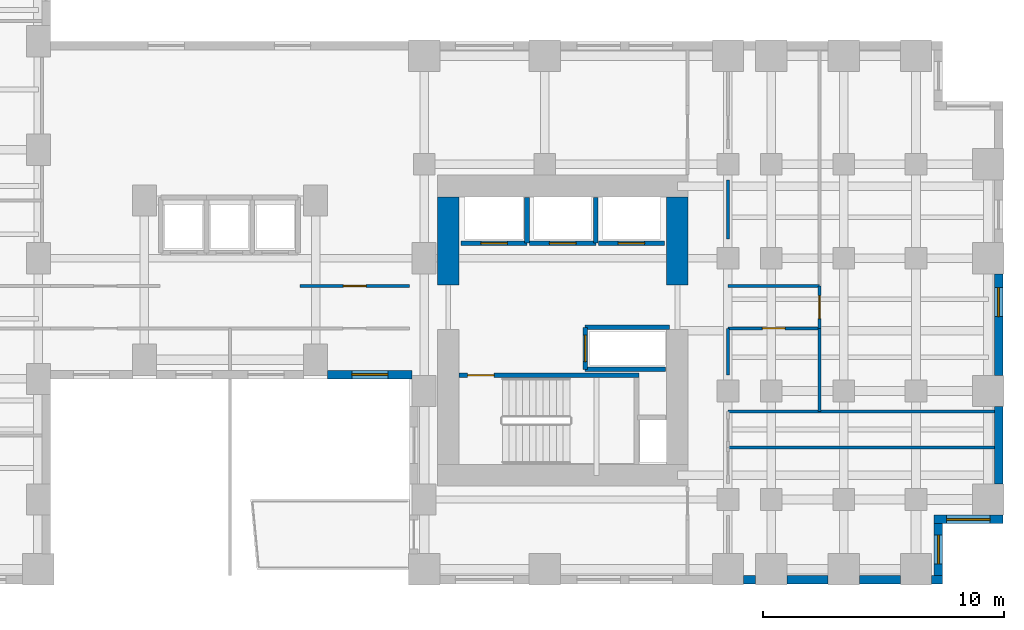
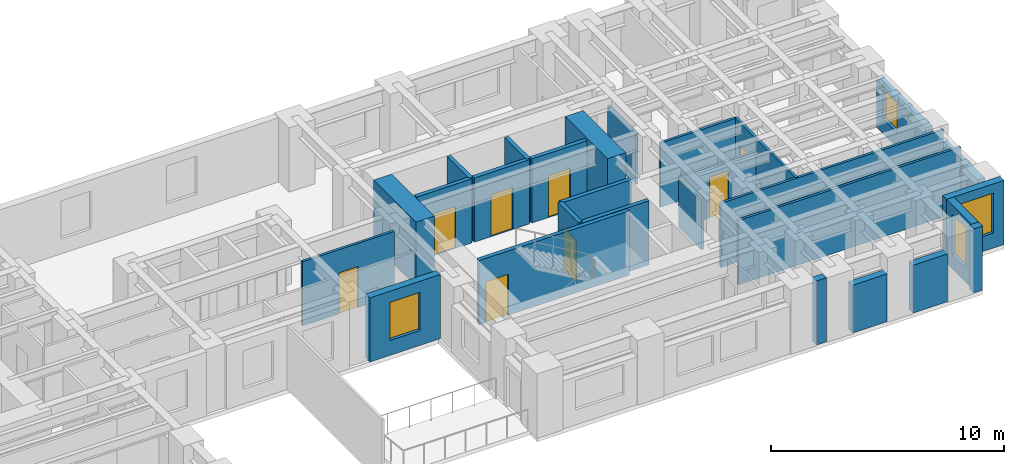
# One storey, part 7 of 12: 29 walls, 8 doors, 4 windows, 12 openings.
"""IFC4 building model written with IfcOpenShell, lengths in metres."""

from ifc_helpers import new_model, si_unit, direction, frame, frame_2d, origin, place, context, subcontext, project, spatial, rectangle, extrude, source, transform, mapped, material, layer, layer_set, type_object, element, fill, save


model = new_model("IFC4")

# Units and contexts
model_context = context("Model", 3, precision=1e-05, world=origin(), true_north=direction((0.0, 1.0)))
body_context = subcontext(model_context, "Body", "Model", "MODEL_VIEW")
ifc_project = project(units=[si_unit("LENGTHUNIT", "METRE"), si_unit("AREAUNIT", "SQUARE_METRE"), si_unit("VOLUMEUNIT", "CUBIC_METRE"), si_unit("PLANEANGLEUNIT", "RADIAN"), si_unit("MASSUNIT", "GRAM", prefix="KILO")], contexts=[model_context])

# Site, building, storey
site_placement = place(None, origin())
site = spatial("IfcSite", under=ifc_project, at=site_placement, CompositionType="ELEMENT")
building_placement = place(site_placement, origin())
building = spatial("IfcBuilding", under=site, at=building_placement, Name="Kharzan Plaza Tower", CompositionType="ELEMENT")
storey_placement = place(building_placement, frame((0.0, 0.0, 62.10009765625)))
storey = spatial("IfcBuildingStorey", under=building, at=storey_placement, Name="L16", CompositionType="ELEMENT", Elevation=62.10009765625)

# Wall, opening, window
ifc_material_1 = material(Name="Concrete C40/50", Category="concrete")
ifc_layer_1 = layer(ifc_material_1, 0.35009765625)
ifc_layer_set_1 = layer_set([ifc_layer_1], Name="Concrete C40/50")
wall_type_1 = type_object("IfcWallType", Name="WL-EXT-MAS-Z1", PredefinedType="SOLIDWALL", material=ifc_layer_set_1)
wall_1_placement = place(storey_placement, frame((30.998046875, 8.675048828125, 0.0), z_axis=(0.0, 0.0, 1.0), x_axis=(1.0, 0.0, 0.0)))
wall_1 = element("IfcWall", 1, at=wall_1_placement, inside=storey, type_object=wall_type_1, Name="L16 Masonry-Frame Exterior Wall 30", PredefinedType="SOLIDWALL", context=body_context, shape_type="SweptSolid", body=[
    extrude(rectangle(XDim=3.50390625, YDim=0.35009765625, at=frame_2d((1.751953125, 0.0))), origin(), (0.0, 0.0, 1.0), 3.364990234375),
])
opening_1_placement = place(wall_1_placement, frame((1.001953125, 0.0, 0.780029296875)))
opening_1 = element("IfcOpeningElement", 2, at=opening_1_placement, cuts=wall_1, Name="Opening W5", PredefinedType="OPENING", context=body_context, shape_type="SweptSolid", body=[
    extrude(rectangle(XDim=1.5, YDim=2.0, at=frame_2d((0.75, 1.0))), frame((0.0, 0.18505859375, 0.0), z_axis=(0.0, -1.0, 0.0), x_axis=(1.0, 0.0, 0.0)), (0.0, 0.0, 1.0), 0.3701171875),
])
ifc_material_2 = material(Name="Low-E Double Glazing", Category="glass")
window_type_1 = type_object("IfcWindowType", Name="WN-SLT-1500x2000", PartitioningType="SINGLE_PANEL", PredefinedType="WINDOW", material=ifc_material_2)
shared_shape_1 = source(origin(), body_context, "Body", "SweptSolid", [
    extrude(rectangle(XDim=1.5, YDim=2.0, at=frame_2d((0.75, 1.0))), frame((0.0, 0.030029296875, 0.0), z_axis=(0.0, -1.0, 0.0), x_axis=(1.0, 0.0, 0.0)), (0.0, 0.0, 1.0), 0.06005859375),
])
window_1_placement = place(opening_1_placement, origin())
window_1 = element("IfcWindow", 3, at=window_1_placement, inside=storey, type_object=window_type_1, Name="L16 Recessed Solar-Control Window 30-1", OverallHeight=2.0, OverallWidth=1.5, PartitioningType="SINGLE_PANEL", PredefinedType="WINDOW", context=body_context, shape_type="MappedRepresentation", body=[
    mapped(shared_shape_1, transform((0.0, 0.0, 0.0), x_axis=(1.0, 0.0, 0.0), y_axis=(0.0, 1.0, 0.0), z_axis=(0.0, 0.0, 1.0))),
])
fill(opening_1, window_1)

wall_2_placement = place(storey_placement, frame((56.324951171875, 0.347900390625, 0.0), z_axis=(0.0, 0.0, 1.0), x_axis=(0.0, 1.0, 0.0)))
wall_2 = element("IfcWall", 4, at=wall_2_placement, inside=storey, type_object=wall_type_1, Name="L16 Masonry-Frame Exterior Wall 39", PredefinedType="SOLIDWALL", context=body_context, shape_type="SweptSolid", body=[
    extrude(rectangle(XDim=2.154052734375, YDim=0.35009765625, at=frame_2d((1.0771484375, 0.0))), origin(), (0.0, 0.0, 1.0), 3.364990234375),
])
opening_2_placement = place(wall_2_placement, frame((0.47705078125, 0.0, 0.780029296875)))
opening_2 = element("IfcOpeningElement", 5, at=opening_2_placement, cuts=wall_2, Name="Opening W3", PredefinedType="OPENING", context=body_context, shape_type="SweptSolid", body=[
    extrude(rectangle(XDim=1.199951171875, YDim=2.10009765625, at=frame_2d((0.60009765625, 1.050048828125))), frame((0.0, 0.18505859375, 0.0), z_axis=(0.0, -1.0, 0.0), x_axis=(1.0, 0.0, 0.0)), (0.0, 0.0, 1.0), 0.3701171875),
])
window_type_2 = type_object("IfcWindowType", Name="WN-REC-1200x2100", PartitioningType="SINGLE_PANEL", PredefinedType="WINDOW", material=ifc_material_2)
shared_shape_2 = source(origin(), body_context, "Body", "SweptSolid", [
    extrude(rectangle(XDim=1.199951171875, YDim=2.10009765625, at=frame_2d((0.60009765625, 1.050048828125))), frame((0.0, 0.030029296875, 0.0), z_axis=(0.0, -1.0, 0.0), x_axis=(1.0, 0.0, 0.0)), (0.0, 0.0, 1.0), 0.06005859375),
])
window_2_placement = place(opening_2_placement, origin())
window_2 = element("IfcWindow", 6, at=window_2_placement, inside=storey, type_object=window_type_2, Name="L16 Recessed Solar-Control Window 39-1", OverallHeight=2.10009765625, OverallWidth=1.199951171875, PartitioningType="SINGLE_PANEL", PredefinedType="WINDOW", context=body_context, shape_type="MappedRepresentation", body=[
    mapped(shared_shape_2, transform((0.0, 0.0, 0.0), x_axis=(1.0, 0.0, 0.0), y_axis=(0.0, 1.0, 0.0), z_axis=(0.0, 0.0, 1.0))),
])
fill(opening_2, window_2)

wall_3_placement = place(storey_placement, frame((56.14990234375, 2.675048828125, 0.0), z_axis=(0.0, 0.0, 1.0), x_axis=(1.0, 0.0, 0.0)))
wall_3 = element("IfcWall", 7, at=wall_3_placement, inside=storey, type_object=wall_type_1, Name="L16 Masonry-Frame Exterior Wall 40", PredefinedType="SOLIDWALL", context=body_context, shape_type="SweptSolid", body=[
    extrude(rectangle(XDim=2.85009765625, YDim=0.35009765625, at=frame_2d((1.425048828125, 0.0))), origin(), (0.0, 0.0, 1.0), 3.364990234375),
])
opening_3_placement = place(wall_3_placement, frame((0.52490234375, 0.0, 0.780029296875)))
opening_3 = element("IfcOpeningElement", 8, at=opening_3_placement, cuts=wall_3, Name="Opening W1", PredefinedType="OPENING", context=body_context, shape_type="SweptSolid", body=[
    extrude(rectangle(XDim=1.800048828125, YDim=2.10009765625, at=frame_2d((0.89990234375, 1.050048828125))), frame((0.0, 0.18505859375, 0.0), z_axis=(0.0, -1.0, 0.0), x_axis=(1.0, 0.0, 0.0)), (0.0, 0.0, 1.0), 0.3701171875),
])
window_type_3 = type_object("IfcWindowType", Name="WN-REC-1800x2100", PartitioningType="SINGLE_PANEL", PredefinedType="WINDOW", material=ifc_material_2)
shared_shape_3 = source(origin(), body_context, "Body", "SweptSolid", [
    extrude(rectangle(XDim=1.800048828125, YDim=2.10009765625, at=frame_2d((0.89990234375, 1.050048828125))), frame((0.0, 0.030029296875, 0.0), z_axis=(0.0, -1.0, 0.0), x_axis=(1.0, 0.0, 0.0)), (0.0, 0.0, 1.0), 0.06005859375),
])
window_3_placement = place(opening_3_placement, origin())
window_3 = element("IfcWindow", 9, at=window_3_placement, inside=storey, type_object=window_type_3, Name="L16 Recessed Solar-Control Window 40-1", OverallHeight=2.10009765625, OverallWidth=1.800048828125, PartitioningType="SINGLE_PANEL", PredefinedType="WINDOW", context=body_context, shape_type="MappedRepresentation", body=[
    mapped(shared_shape_3, transform((0.0, 0.0, 0.0), x_axis=(1.0, 0.0, 0.0), y_axis=(0.0, 1.0, 0.0), z_axis=(0.0, 0.0, 1.0))),
])
fill(opening_3, window_3)

wall_4_placement = place(storey_placement, frame((58.824951171875, 8.64794921875, 0.0), z_axis=(0.0, 0.0, 1.0), x_axis=(0.0, 1.0, 0.0)))
wall_4 = element("IfcWall", 10, at=wall_4_placement, inside=storey, type_object=wall_type_1, Name="L16 Masonry-Frame Exterior Wall 42", PredefinedType="SOLIDWALL", context=body_context, shape_type="SweptSolid", body=[
    extrude(rectangle(XDim=4.2041015625, YDim=0.35009765625, at=frame_2d((2.10205078125, 0.0))), origin(), (0.0, 0.0, 1.0), 2.510009765625),
])
opening_4_placement = place(wall_4_placement, frame((2.436767578125, 0.0, 0.780029296875)))
opening_4 = element("IfcOpeningElement", 11, at=opening_4_placement, cuts=wall_4, Name="Opening W3", PredefinedType="OPENING", context=body_context, shape_type="SweptSolid", body=[
    extrude(rectangle(XDim=1.199951171875, YDim=1.550048828125, at=frame_2d((0.60009765625, 0.77490234375))), frame((0.0, 0.18505859375, 0.0), z_axis=(0.0, -1.0, 0.0), x_axis=(1.0, 0.0, 0.0)), (0.0, 0.0, 1.0), 0.3701171875),
])
shared_shape_4 = source(origin(), body_context, "Body", "SweptSolid", [
    extrude(rectangle(XDim=1.199951171875, YDim=1.550048828125, at=frame_2d((0.60009765625, 0.77490234375))), frame((0.0, 0.030029296875, 0.0), z_axis=(0.0, -1.0, 0.0), x_axis=(1.0, 0.0, 0.0)), (0.0, 0.0, 1.0), 0.06005859375),
])
window_4_placement = place(opening_4_placement, origin())
window_4 = element("IfcWindow", 12, at=window_4_placement, inside=storey, type_object=window_type_2, Name="L16 Recessed Solar-Control Window 42-1", OverallHeight=1.550048828125, OverallWidth=1.199951171875, PartitioningType="SINGLE_PANEL", PredefinedType="WINDOW", context=body_context, shape_type="MappedRepresentation", body=[
    mapped(shared_shape_4, transform((0.0, 0.0, 0.0), x_axis=(1.0, 0.0, 0.0), y_axis=(0.0, 1.0, 0.0), z_axis=(0.0, 0.0, 1.0))),
])
fill(opening_4, window_4)

# Wall, opening, door
ifc_material_3 = material(Name="Fire-Rated Gypsum Board Partition", Category="gypsum")
ifc_layer_2 = layer(ifc_material_3, 0.125)
ifc_layer_set_2 = layer_set([ifc_layer_2], Name="Fire-Rated Gypsum Board Partition")
wall_type_2 = type_object("IfcWallType", Name="WL-INT-PART-125", PredefinedType="PARTITIONING", material=ifc_layer_set_2)
wall_5_placement = place(storey_placement, frame((51.39990234375, 10.60009765625, 0.0), z_axis=(0.0, 0.0, 1.0), x_axis=(0.0, 1.0, 0.0)))
wall_5 = element("IfcWall", 13, at=wall_5_placement, inside=storey, type_object=wall_type_2, Name="L16 Interior Partition SH-B2E2", PredefinedType="PARTITIONING", context=body_context, shape_type="SweptSolid", body=[
    extrude(rectangle(XDim=1.75, YDim=0.125, at=frame_2d((0.875, 0.0))), origin(), (0.0, 0.0, 1.0), 3.364990234375),
])
opening_5_placement = place(wall_5_placement, frame((0.39990234375, 0.0, 0.0)))
opening_5 = element("IfcOpeningElement", 14, at=opening_5_placement, cuts=wall_5, Name="Opening OD1", PredefinedType="OPENING", context=body_context, shape_type="SweptSolid", body=[
    extrude(rectangle(XDim=0.949951171875, YDim=2.14990234375, at=frame_2d((0.47509765625, 1.074951171875))), frame((0.0, 0.072509765625, 0.0), z_axis=(0.0, -1.0, 0.0), x_axis=(1.0, 0.0, 0.0)), (0.0, 0.0, 1.0), 0.14501953125),
])
ifc_material_4 = material(Name="Acoustic Solid-Core Stained Oak", Category="timber")
door_type_1 = type_object("IfcDoorType", Name="DR-OFF-SINGLE", OperationType="NOTDEFINED", PredefinedType="DOOR", material=ifc_material_4)
shared_shape_5 = source(origin(), body_context, "Body", "SweptSolid", [
    extrude(rectangle(XDim=0.949951171875, YDim=2.14990234375, at=frame_2d((0.47509765625, 1.074951171875))), frame((0.0, 0.02490234375, 0.0), z_axis=(0.0, -1.0, 0.0), x_axis=(1.0, 0.0, 0.0)), (0.0, 0.0, 1.0), 0.050048828125),
])
door_1_placement = place(opening_5_placement, origin())
door_1 = element("IfcDoor", 15, at=door_1_placement, inside=storey, type_object=door_type_1, Name="L16 East Boardroom Door", OperationType="SINGLE_SWING_LEFT", OverallHeight=2.14990234375, OverallWidth=0.949951171875, PredefinedType="DOOR", context=body_context, shape_type="MappedRepresentation", body=[
    mapped(shared_shape_5, transform((0.0, 0.0, 0.0), x_axis=(1.0, 0.0, 0.0), y_axis=(0.0, 1.0, 0.0), z_axis=(0.0, 0.0, 1.0))),
])
fill(opening_5, door_1)

wall_6_placement = place(storey_placement, frame((47.60009765625, 10.60009765625, 0.0), z_axis=(0.0, 0.0, 1.0), x_axis=(1.0, 0.0, 0.0)))
wall_6 = element("IfcWall", 16, at=wall_6_placement, inside=storey, type_object=wall_type_2, Name="L16 Interior Partition SH-B2S1", PredefinedType="PARTITIONING", context=body_context, shape_type="SweptSolid", body=[
    extrude(rectangle(XDim=3.7998046875, YDim=0.125, at=frame_2d((1.89990234375, 0.0))), origin(), (0.0, 0.0, 1.0), 2.669921875),
])
opening_6_placement = place(wall_6_placement, frame((1.425048828125, 0.0, 0.0)))
opening_6 = element("IfcOpeningElement", 17, at=opening_6_placement, cuts=wall_6, Name="Opening OD1", PredefinedType="OPENING", context=body_context, shape_type="SweptSolid", body=[
    extrude(rectangle(XDim=0.949951171875, YDim=2.14990234375, at=frame_2d((0.47509765625, 1.074951171875))), frame((0.0, 0.072509765625, 0.0), z_axis=(0.0, -1.0, 0.0), x_axis=(1.0, 0.0, 0.0)), (0.0, 0.0, 1.0), 0.14501953125),
])
door_2_placement = place(opening_6_placement, origin())
door_2 = element("IfcDoor", 18, at=door_2_placement, inside=storey, type_object=door_type_1, Name="L16 Spur South Office Door", OperationType="SINGLE_SWING_RIGHT", OverallHeight=2.14990234375, OverallWidth=0.949951171875, PredefinedType="DOOR", context=body_context, shape_type="MappedRepresentation", body=[
    mapped(shared_shape_5, transform((0.0, 0.0, 0.0), x_axis=(1.0, 0.0, 0.0), y_axis=(0.0, 1.0, 0.0), z_axis=(0.0, 0.0, 1.0))),
])
fill(opening_6, door_2)

wall_7_placement = place(storey_placement, frame((29.85009765625, 12.35009765625, 0.0), z_axis=(0.0, 0.0, 1.0), x_axis=(1.0, 0.0, 0.0)))
wall_7 = element("IfcWall", 19, at=wall_7_placement, inside=storey, type_object=wall_type_2, Name="L16 Interior Partition SH-SPNE1", PredefinedType="PARTITIONING", context=body_context, shape_type="SweptSolid", body=[
    extrude(rectangle(XDim=4.5498046875, YDim=0.125, at=frame_2d((2.27490234375, 0.0))), origin(), (0.0, 0.0, 1.0), 3.364990234375),
])
opening_7_placement = place(wall_7_placement, frame((1.800048828125, 0.0, 0.0)))
opening_7 = element("IfcOpeningElement", 20, at=opening_7_placement, cuts=wall_7, Name="Opening OD1", PredefinedType="OPENING", context=body_context, shape_type="SweptSolid", body=[
    extrude(rectangle(XDim=0.949951171875, YDim=2.14990234375, at=frame_2d((0.47509765625, 1.074951171875))), frame((0.0, 0.072509765625, 0.0), z_axis=(0.0, -1.0, 0.0), x_axis=(1.0, 0.0, 0.0)), (0.0, 0.0, 1.0), 0.14501953125),
])
door_3_placement = place(opening_7_placement, origin())
door_3 = element("IfcDoor", 21, at=door_3_placement, inside=storey, type_object=door_type_1, Name="L16 North-East Spine Door", OperationType="SINGLE_SWING_LEFT", OverallHeight=2.14990234375, OverallWidth=0.949951171875, PredefinedType="DOOR", context=body_context, shape_type="MappedRepresentation", body=[
    mapped(shared_shape_5, transform((0.0, 0.0, 0.0), x_axis=(1.0, 0.0, 0.0), y_axis=(0.0, 1.0, 0.0), z_axis=(0.0, 0.0, 1.0))),
])
fill(opening_7, door_3)

ifc_layer_3 = layer(ifc_material_1, 0.199951171875)
ifc_layer_set_3 = layer_set([ifc_layer_3], Name="Concrete C40/50")
wall_type_3 = type_object("IfcWallType", Name="WL-INT-SHAFT-200", PredefinedType="PARTITIONING", material=ifc_layer_set_3)
wall_8_placement = place(storey_placement, frame((36.530029296875, 14.1298828125, 0.0), z_axis=(0.0, 0.0, 1.0), x_axis=(1.0, 0.0, 0.0)))
wall_8 = element("IfcWall", 22, at=wall_8_placement, inside=storey, type_object=wall_type_3, Name="L16 Interior Partition SHF-PL-L1-S", PredefinedType="PARTITIONING", context=body_context, shape_type="SweptSolid", body=[
    extrude(rectangle(XDim=2.739990234375, YDim=0.199951171875, at=frame_2d((1.3701171875, 0.0))), origin(), (0.0, 0.0, 1.0), 3.364990234375),
])
opening_8_placement = place(wall_8_placement, frame((0.820068359375, 0.0, 0.0)))
opening_8 = element("IfcOpeningElement", 23, at=opening_8_placement, cuts=wall_8, Name="Opening LD", PredefinedType="OPENING", context=body_context, shape_type="SweptSolid", body=[
    extrude(rectangle(XDim=1.10009765625, YDim=2.199951171875, at=frame_2d((0.550048828125, 1.10009765625))), frame((0.0, 0.10986328125, 0.0), z_axis=(0.0, -1.0, 0.0), x_axis=(1.0, 0.0, 0.0)), (0.0, 0.0, 1.0), 0.219970703125),
])
ifc_material_5 = material(Name="Brushed Stainless Steel", Category="steel")
door_type_2 = type_object("IfcDoorType", Name="DR-LIFT-SLIDE", OperationType="SLIDING_TO_LEFT", PredefinedType="DOOR", material=ifc_material_5)
shared_shape_6 = source(origin(), body_context, "Body", "SweptSolid", [
    extrude(rectangle(XDim=1.10009765625, YDim=2.199951171875, at=frame_2d((0.550048828125, 1.10009765625))), frame((0.0, 0.02490234375, 0.0), z_axis=(0.0, -1.0, 0.0), x_axis=(1.0, 0.0, 0.0)), (0.0, 0.0, 1.0), 0.050048828125),
])
door_4_placement = place(opening_8_placement, origin())
door_4 = element("IfcDoor", 24, at=door_4_placement, inside=storey, type_object=door_type_2, Name="L16 Low-Rise Passenger Lift PL-L1 Sliding Landing Door", OperationType="SLIDING_TO_LEFT", OverallHeight=2.199951171875, OverallWidth=1.10009765625, PredefinedType="DOOR", context=body_context, shape_type="MappedRepresentation", body=[
    mapped(shared_shape_6, transform((0.0, 0.0, 0.0), x_axis=(1.0, 0.0, 0.0), y_axis=(0.0, 1.0, 0.0), z_axis=(0.0, 0.0, 1.0))),
])
fill(opening_8, door_4)

wall_9_placement = place(storey_placement, frame((39.3798828125, 14.1298828125, 0.0), z_axis=(0.0, 0.0, 1.0), x_axis=(1.0, 0.0, 0.0)))
wall_9 = element("IfcWall", 25, at=wall_9_placement, inside=storey, type_object=wall_type_3, Name="L16 Interior Partition SHF-PL-L2-S", PredefinedType="PARTITIONING", context=body_context, shape_type="SweptSolid", body=[
    extrude(rectangle(XDim=2.740234375, YDim=0.199951171875, at=frame_2d((1.3701171875, 0.0))), origin(), (0.0, 0.0, 1.0), 3.364990234375),
])
opening_9_placement = place(wall_9_placement, frame((0.820068359375, 0.0, 0.0)))
opening_9 = element("IfcOpeningElement", 26, at=opening_9_placement, cuts=wall_9, Name="Opening LD", PredefinedType="OPENING", context=body_context, shape_type="SweptSolid", body=[
    extrude(rectangle(XDim=1.10009765625, YDim=2.199951171875, at=frame_2d((0.550048828125, 1.10009765625))), frame((0.0, 0.10986328125, 0.0), z_axis=(0.0, -1.0, 0.0), x_axis=(1.0, 0.0, 0.0)), (0.0, 0.0, 1.0), 0.219970703125),
])
door_5_placement = place(opening_9_placement, origin())
door_5 = element("IfcDoor", 27, at=door_5_placement, inside=storey, type_object=door_type_2, Name="L16 Low-Rise Passenger Lift PL-L2 Sliding Landing Door", OperationType="SLIDING_TO_LEFT", OverallHeight=2.199951171875, OverallWidth=1.10009765625, PredefinedType="DOOR", context=body_context, shape_type="MappedRepresentation", body=[
    mapped(shared_shape_6, transform((0.0, 0.0, 0.0), x_axis=(1.0, 0.0, 0.0), y_axis=(0.0, 1.0, 0.0), z_axis=(0.0, 0.0, 1.0))),
])
fill(opening_9, door_5)

wall_10_placement = place(storey_placement, frame((42.22998046875, 14.1298828125, 0.0), z_axis=(0.0, 0.0, 1.0), x_axis=(1.0, 0.0, 0.0)))
wall_10 = element("IfcWall", 28, at=wall_10_placement, inside=storey, type_object=wall_type_3, Name="L16 Interior Partition SHF-PL-L3-S", PredefinedType="PARTITIONING", context=body_context, shape_type="SweptSolid", body=[
    extrude(rectangle(XDim=2.739990234375, YDim=0.199951171875, at=frame_2d((1.3701171875, 0.0))), origin(), (0.0, 0.0, 1.0), 3.364990234375),
])
opening_10_placement = place(wall_10_placement, frame((0.820068359375, 0.0, 0.0)))
opening_10 = element("IfcOpeningElement", 29, at=opening_10_placement, cuts=wall_10, Name="Opening LD", PredefinedType="OPENING", context=body_context, shape_type="SweptSolid", body=[
    extrude(rectangle(XDim=1.10009765625, YDim=2.199951171875, at=frame_2d((0.550048828125, 1.10009765625))), frame((0.0, 0.10986328125, 0.0), z_axis=(0.0, -1.0, 0.0), x_axis=(1.0, 0.0, 0.0)), (0.0, 0.0, 1.0), 0.219970703125),
])
door_6_placement = place(opening_10_placement, origin())
door_6 = element("IfcDoor", 30, at=door_6_placement, inside=storey, type_object=door_type_2, Name="L16 Low-Rise Passenger Lift PL-L3 Sliding Landing Door", OperationType="SLIDING_TO_LEFT", OverallHeight=2.199951171875, OverallWidth=1.10009765625, PredefinedType="DOOR", context=body_context, shape_type="MappedRepresentation", body=[
    mapped(shared_shape_6, transform((0.0, 0.0, 0.0), x_axis=(1.0, 0.0, 0.0), y_axis=(0.0, 1.0, 0.0), z_axis=(0.0, 0.0, 1.0))),
])
fill(opening_10, door_6)

wall_11_placement = place(storey_placement, frame((41.679931640625, 8.89990234375, 0.0), z_axis=(0.0, 0.0, 1.0), x_axis=(0.0, 1.0, 0.0)))
wall_11 = element("IfcWall", 31, at=wall_11_placement, inside=storey, type_object=wall_type_3, Name="L16 Interior Partition SHF-SVL-2-W", PredefinedType="PARTITIONING", context=body_context, shape_type="SweptSolid", body=[
    extrude(rectangle(XDim=1.739990234375, YDim=0.199951171875, at=frame_2d((0.8701171875, 0.0))), origin(), (0.0, 0.0, 1.0), 3.364990234375),
])
opening_11_placement = place(wall_11_placement, frame((0.320068359375, 0.0, 0.0)))
opening_11 = element("IfcOpeningElement", 32, at=opening_11_placement, cuts=wall_11, Name="Opening LD", PredefinedType="OPENING", context=body_context, shape_type="SweptSolid", body=[
    extrude(rectangle(XDim=1.10009765625, YDim=2.199951171875, at=frame_2d((0.550048828125, 1.10009765625))), frame((0.0, 0.10986328125, 0.0), z_axis=(0.0, -1.0, 0.0), x_axis=(1.0, 0.0, 0.0)), (0.0, 0.0, 1.0), 0.219970703125),
])
door_7_placement = place(opening_11_placement, origin())
door_7 = element("IfcDoor", 33, at=door_7_placement, inside=storey, type_object=door_type_2, Name="L16 Service Lift SVL-2 Sliding Landing Door", OperationType="SLIDING_TO_LEFT", OverallHeight=2.199951171875, OverallWidth=1.10009765625, PredefinedType="DOOR", context=body_context, shape_type="MappedRepresentation", body=[
    mapped(shared_shape_6, transform((0.0, 0.0, 0.0), x_axis=(1.0, 0.0, 0.0), y_axis=(0.0, 1.0, 0.0), z_axis=(0.0, 0.0, 1.0))),
])
fill(opening_11, door_7)

ifc_material_6 = material(Name="Concrete C50/60", Category="concrete")
ifc_layer_4 = layer(ifc_material_6, 0.199951171875)
ifc_layer_set_4 = layer_set([ifc_layer_4], Name="Concrete C50/60")
wall_type_4 = type_object("IfcWallType", Name="WL-SHAFT-RC200", PredefinedType="SHEAR", material=ifc_layer_set_4)
wall_12_placement = place(storey_placement, frame((36.451904296875, 8.655029296875, 0.0), z_axis=(0.0, 0.0, 1.0), x_axis=(1.0, 0.0, 0.0)))
wall_12 = element("IfcWall", 34, at=wall_12_placement, inside=storey, type_object=wall_type_4, Name="L16 Stair ST-3 North RC Shaft Wall", PredefinedType="SHEAR", context=body_context, shape_type="SweptSolid", body=[
    extrude(rectangle(XDim=7.453125, YDim=0.199951171875, at=frame_2d((3.7265625, 0.0))), origin(), (0.0, 0.0, 1.0), 3.3798828125),
])
opening_12_placement = place(wall_12_placement, frame((0.35009765625, 0.0, 0.0)))
opening_12 = element("IfcOpeningElement", 35, at=opening_12_placement, cuts=wall_12, Name="Opening SD1", PredefinedType="OPENING", context=body_context, shape_type="SweptSolid", body=[
    extrude(rectangle(XDim=1.10009765625, YDim=2.14990234375, at=frame_2d((0.550048828125, 1.074951171875))), frame((0.0, 0.10986328125, 0.0), z_axis=(0.0, -1.0, 0.0), x_axis=(1.0, 0.0, 0.0)), (0.0, 0.0, 1.0), 0.219970703125),
])
ifc_material_7 = material(Name="Fire-Rated Hollow Galvanized Steel", Category="steel")
door_type_3 = type_object("IfcDoorType", Name="DR-STAIR-FD120", OperationType="NOTDEFINED", PredefinedType="DOOR", material=ifc_material_7)
shared_shape_7 = source(origin(), body_context, "Body", "SweptSolid", [
    extrude(rectangle(XDim=1.10009765625, YDim=2.14990234375, at=frame_2d((0.550048828125, 1.074951171875))), frame((0.0, 0.02490234375, 0.0), z_axis=(0.0, -1.0, 0.0), x_axis=(1.0, 0.0, 0.0)), (0.0, 0.0, 1.0), 0.050048828125),
])
door_8_placement = place(opening_12_placement, origin())
door_8 = element("IfcDoor", 36, at=door_8_placement, inside=storey, type_object=door_type_3, Name="L16 Stair ST-3 Fire Exit Door", OperationType="SINGLE_SWING_LEFT", OverallHeight=2.14990234375, OverallWidth=1.10009765625, PredefinedType="DOOR", context=body_context, shape_type="MappedRepresentation", body=[
    mapped(shared_shape_7, transform((0.0, 0.0, 0.0), x_axis=(1.0, 0.0, 0.0), y_axis=(0.0, 1.0, 0.0), z_axis=(0.0, 0.0, 1.0))),
])
fill(opening_12, door_8)

# Walls
ifc_material_8 = material(Name="Concrete C60/75", Category="concrete")
ifc_layer_5 = layer(ifc_material_8, 0.89990234375)
ifc_layer_set_5 = layer_set([ifc_layer_5], Name="Concrete C60/75")
wall_type_5 = type_object("IfcWallType", Name="WL-CORE-900", PredefinedType="SHEAR", material=ifc_layer_set_5)
shared_shape_8 = source(origin(), body_context, "Body", "SweptSolid", [
    extrude(rectangle(XDim=3.650146484375, YDim=0.89990234375, at=frame_2d((1.8251953125, 0.0))), origin(), (0.0, 0.0, 1.0), 3.3798828125),
])
for number, where, z_axis, x_axis, name in (
    (37, (45.5, 12.39990234375, 0.0), (0.0, 0.0, 1.0), (0.0, 1.0, 0.0), "L16 CORE-B east shear pier 2"),
    (38, (36.0, 12.39990234375, 0.0), (0.0, 0.0, 1.0), (0.0, 1.0, 0.0), "L16 CORE-B west shear pier 2"),
):
    element("IfcWall", number, at=place(storey_placement, frame(where, z_axis=z_axis, x_axis=x_axis)), inside=storey, type_object=wall_type_5, Name=name, PredefinedType="SHEAR", context=body_context, shape_type="MappedRepresentation", body=[
        mapped(shared_shape_8, transform((0.0, 0.0, 0.0), x_axis=(1.0, 0.0, 0.0), y_axis=(0.0, 1.0, 0.0), z_axis=(0.0, 0.0, 1.0))),
    ])
shared_shape_9 = source(origin(), body_context, "Body", "SweptSolid", [
    extrude(rectangle(XDim=0.50390625, YDim=0.35009765625, at=frame_2d((0.251953125, 0.0))), origin(), (0.0, 0.0, 1.0), 3.364990234375),
])
wall_13_placement = place(storey_placement, frame((48.248046875, 0.175048828125, 0.0), z_axis=(0.0, 0.0, 1.0), x_axis=(1.0, 0.0, 0.0)))
element("IfcWall", 39, at=wall_13_placement, inside=storey, type_object=wall_type_1, Name="L16 Masonry-Frame Exterior Wall 35", PredefinedType="SOLIDWALL", context=body_context, shape_type="MappedRepresentation", body=[
    mapped(shared_shape_9, transform((0.0, 0.0, 0.0), x_axis=(1.0, 0.0, 0.0), y_axis=(0.0, 1.0, 0.0), z_axis=(0.0, 0.0, 1.0))),
])
shared_shape_10 = source(origin(), body_context, "Body", "SweptSolid", [
    extrude(rectangle(XDim=1.703857421875, YDim=0.35009765625, at=frame_2d((0.85205078125, 0.0))), origin(), (0.0, 0.0, 1.0), 2.510009765625),
])
for number, where, z_axis, x_axis, name in (
    (40, (50.048095703125, 0.175048828125, 0.0), (0.0, 0.0, 1.0), (1.0, 0.0, 0.0), "L16 Masonry-Frame Exterior Wall 36"),
    (41, (53.048095703125, 0.175048828125, 0.0), (0.0, 0.0, 1.0), (1.0, 0.0, 0.0), "L16 Masonry-Frame Exterior Wall 37"),
):
    element("IfcWall", number, at=place(storey_placement, frame(where, z_axis=z_axis, x_axis=x_axis)), inside=storey, type_object=wall_type_1, Name=name, PredefinedType="SOLIDWALL", context=body_context, shape_type="MappedRepresentation", body=[
        mapped(shared_shape_10, transform((0.0, 0.0, 0.0), x_axis=(1.0, 0.0, 0.0), y_axis=(0.0, 1.0, 0.0), z_axis=(0.0, 0.0, 1.0))),
    ])
shared_shape_11 = source(origin(), body_context, "Body", "SweptSolid", [
    extrude(rectangle(XDim=0.451904296875, YDim=0.35009765625, at=frame_2d((0.22607421875, 0.0))), origin(), (0.0, 0.0, 1.0), 3.364990234375),
])
wall_14_placement = place(storey_placement, frame((56.048095703125, 0.175048828125, 0.0), z_axis=(0.0, 0.0, 1.0), x_axis=(1.0, 0.0, 0.0)))
element("IfcWall", 42, at=wall_14_placement, inside=storey, type_object=wall_type_1, Name="L16 Masonry-Frame Exterior Wall 38", PredefinedType="SOLIDWALL", context=body_context, shape_type="MappedRepresentation", body=[
    mapped(shared_shape_11, transform((0.0, 0.0, 0.0), x_axis=(1.0, 0.0, 0.0), y_axis=(0.0, 1.0, 0.0), z_axis=(0.0, 0.0, 1.0))),
])
shared_shape_12 = source(origin(), body_context, "Body", "SweptSolid", [
    extrude(rectangle(XDim=3.2041015625, YDim=0.35009765625, at=frame_2d((1.60205078125, 0.0))), origin(), (0.0, 0.0, 1.0), 2.510009765625),
])
wall_15_placement = place(storey_placement, frame((58.824951171875, 4.14794921875, 0.0), z_axis=(0.0, 0.0, 1.0), x_axis=(0.0, 1.0, 0.0)))
element("IfcWall", 43, at=wall_15_placement, inside=storey, type_object=wall_type_1, Name="L16 Masonry-Frame Exterior Wall 41", PredefinedType="SOLIDWALL", context=body_context, shape_type="MappedRepresentation", body=[
    mapped(shared_shape_12, transform((0.0, 0.0, 0.0), x_axis=(1.0, 0.0, 0.0), y_axis=(0.0, 1.0, 0.0), z_axis=(0.0, 0.0, 1.0))),
])
shared_shape_13 = source(origin(), body_context, "Body", "SweptSolid", [
    extrude(rectangle(XDim=11.0478515625, YDim=0.125, at=frame_2d((5.52392578125, 0.0))), origin(), (0.0, 0.0, 1.0), 3.364990234375),
])
for number, where, z_axis, x_axis, name in (
    (44, (47.60009765625, 5.64990234375, 0.0), (0.0, 0.0, 1.0), (1.0, 0.0, 0.0), "L16 Interior Partition SH-B2H1"),
    (45, (47.60009765625, 7.14990234375, 0.0), (0.0, 0.0, 1.0), (1.0, 0.0, 0.0), "L16 Interior Partition SH-B2H2"),
):
    element("IfcWall", number, at=place(storey_placement, frame(where, z_axis=z_axis, x_axis=x_axis)), inside=storey, type_object=wall_type_2, Name=name, PredefinedType="PARTITIONING", context=body_context, shape_type="MappedRepresentation", body=[
        mapped(shared_shape_13, transform((0.0, 0.0, 0.0), x_axis=(1.0, 0.0, 0.0), y_axis=(0.0, 1.0, 0.0), z_axis=(0.0, 0.0, 1.0))),
    ])
shared_shape_14 = source(origin(), body_context, "Body", "SweptSolid", [
    extrude(rectangle(XDim=1.89013671875, YDim=0.199951171875, at=frame_2d((0.945068359375, 0.0))), origin(), (0.0, 0.0, 1.0), 3.364990234375),
])
for number, where, z_axis, x_axis, name in (
    (46, (39.27001953125, 14.1298828125, 0.0), (0.0, 0.0, 1.0), (0.0, 1.0, 0.0), "L16 Interior Partition SHF-PL-L1-E"),
    (47, (42.1201171875, 14.1298828125, 0.0), (0.0, 0.0, 1.0), (0.0, 1.0, 0.0), "L16 Interior Partition SHF-PL-L2-E"),
):
    element("IfcWall", number, at=place(storey_placement, frame(where, z_axis=z_axis, x_axis=x_axis)), inside=storey, type_object=wall_type_3, Name=name, PredefinedType="PARTITIONING", context=body_context, shape_type="MappedRepresentation", body=[
        mapped(shared_shape_14, transform((0.0, 0.0, 0.0), x_axis=(1.0, 0.0, 0.0), y_axis=(0.0, 1.0, 0.0), z_axis=(0.0, 0.0, 1.0))),
    ])
shared_shape_15 = source(origin(), body_context, "Body", "SweptSolid", [
    extrude(rectangle(XDim=3.489990234375, YDim=0.199951171875, at=frame_2d((1.7451171875, 0.0))), origin(), (0.0, 0.0, 1.0), 3.364990234375),
])
wall_16_placement = place(storey_placement, frame((41.679931640625, 10.639892578125, 0.0), z_axis=(0.0, 0.0, 1.0), x_axis=(1.0, 0.0, 0.0)))
element("IfcWall", 48, at=wall_16_placement, inside=storey, type_object=wall_type_3, Name="L16 Interior Partition SHF-SVL-2-N", PredefinedType="PARTITIONING", context=body_context, shape_type="MappedRepresentation", body=[
    mapped(shared_shape_15, transform((0.0, 0.0, 0.0), x_axis=(1.0, 0.0, 0.0), y_axis=(0.0, 1.0, 0.0), z_axis=(0.0, 0.0, 1.0))),
])
shared_shape_16 = source(origin(), body_context, "Body", "SweptSolid", [
    extrude(rectangle(XDim=3.340087890625, YDim=0.199951171875, at=frame_2d((1.669921875, 0.0))), origin(), (0.0, 0.0, 1.0), 3.364990234375),
])
wall_17_placement = place(storey_placement, frame((41.679931640625, 8.89990234375, 0.0), z_axis=(0.0, 0.0, 1.0), x_axis=(1.0, 0.0, 0.0)))
element("IfcWall", 49, at=wall_17_placement, inside=storey, type_object=wall_type_3, Name="L16 Interior Partition SHF-SVL-2-S", PredefinedType="PARTITIONING", context=body_context, shape_type="MappedRepresentation", body=[
    mapped(shared_shape_16, transform((0.0, 0.0, 0.0), x_axis=(1.0, 0.0, 0.0), y_axis=(0.0, 1.0, 0.0), z_axis=(0.0, 0.0, 1.0))),
])
shared_shape_17 = source(origin(), body_context, "Body", "SweptSolid", [
    extrude(rectangle(XDim=3.7998046875, YDim=0.125, at=frame_2d((1.89990234375, 0.0))), origin(), (0.0, 0.0, 1.0), 3.364990234375),
])
wall_18_placement = place(storey_placement, frame((47.60009765625, 12.35009765625, 0.0), z_axis=(0.0, 0.0, 1.0), x_axis=(1.0, 0.0, 0.0)))
element("IfcWall", 50, at=wall_18_placement, inside=storey, type_object=wall_type_2, Name="L16 Interior Partition SH-B2N3", PredefinedType="PARTITIONING", context=body_context, shape_type="MappedRepresentation", body=[
    mapped(shared_shape_17, transform((0.0, 0.0, 0.0), x_axis=(1.0, 0.0, 0.0), y_axis=(0.0, 1.0, 0.0), z_axis=(0.0, 0.0, 1.0))),
])
shared_shape_18 = source(origin(), body_context, "Body", "SweptSolid", [
    extrude(rectangle(XDim=3.4501953125, YDim=0.125, at=frame_2d((1.72509765625, 0.0))), origin(), (0.0, 0.0, 1.0), 3.364990234375),
])
wall_19_placement = place(storey_placement, frame((51.39990234375, 7.14990234375, 0.0), z_axis=(0.0, 0.0, 1.0), x_axis=(0.0, 1.0, 0.0)))
element("IfcWall", 51, at=wall_19_placement, inside=storey, type_object=wall_type_2, Name="L16 Interior Partition SH-B2V1", PredefinedType="PARTITIONING", context=body_context, shape_type="MappedRepresentation", body=[
    mapped(shared_shape_18, transform((0.0, 0.0, 0.0), x_axis=(1.0, 0.0, 0.0), y_axis=(0.0, 1.0, 0.0), z_axis=(0.0, 0.0, 1.0))),
])
shared_shape_19 = source(origin(), body_context, "Body", "SweptSolid", [
    extrude(rectangle(XDim=1.940185546875, YDim=0.125, at=frame_2d((0.97021484375, 0.0))), origin(), (0.0, 0.0, 1.0), 2.669921875),
])
wall_20_placement = place(storey_placement, frame((47.60009765625, 8.659912109375, 0.0), z_axis=(0.0, 0.0, 1.0), x_axis=(0.0, 1.0, 0.0)))
element("IfcWall", 52, at=wall_20_placement, inside=storey, type_object=wall_type_2, Name="L16 Interior Partition SH-B2W1C", PredefinedType="PARTITIONING", context=body_context, shape_type="MappedRepresentation", body=[
    mapped(shared_shape_19, transform((0.0, 0.0, 0.0), x_axis=(1.0, 0.0, 0.0), y_axis=(0.0, 1.0, 0.0), z_axis=(0.0, 0.0, 1.0))),
])
shared_shape_20 = source(origin(), body_context, "Body", "SweptSolid", [
    extrude(rectangle(XDim=2.43994140625, YDim=0.125, at=frame_2d((1.219970703125, 0.0))), origin(), (0.0, 0.0, 1.0), 2.669921875),
])
wall_21_placement = place(storey_placement, frame((47.60009765625, 14.300048828125, 0.0), z_axis=(0.0, 0.0, 1.0), x_axis=(0.0, 1.0, 0.0)))
element("IfcWall", 53, at=wall_21_placement, inside=storey, type_object=wall_type_2, Name="L16 Interior Partition SH-B2W3D-S1", PredefinedType="PARTITIONING", context=body_context, shape_type="MappedRepresentation", body=[
    mapped(shared_shape_20, transform((0.0, 0.0, 0.0), x_axis=(1.0, 0.0, 0.0), y_axis=(0.0, 1.0, 0.0), z_axis=(0.0, 0.0, 1.0))),
])

save(model, "model.ifc")
